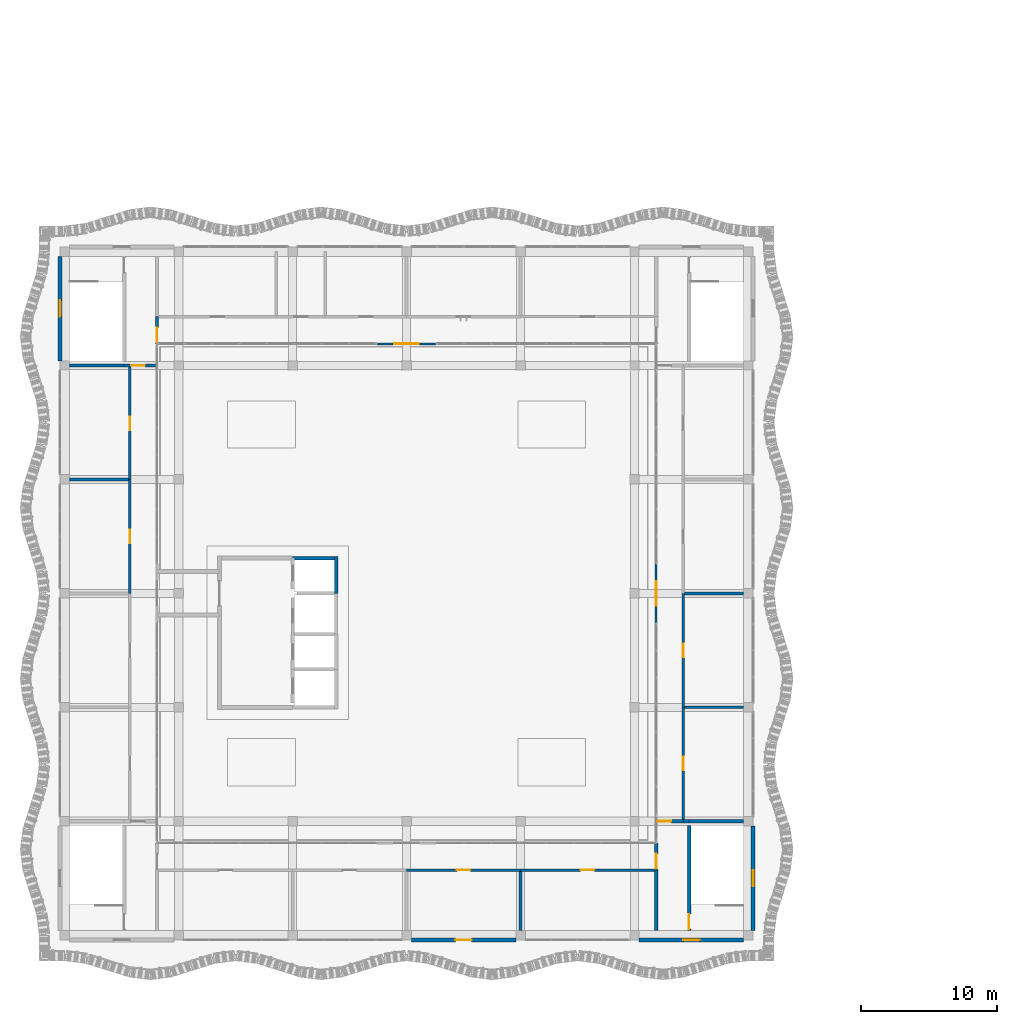
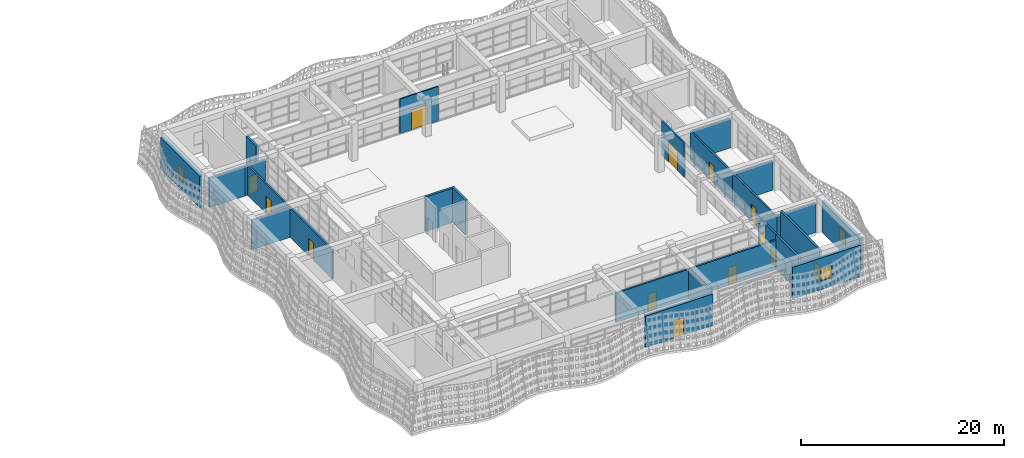
# One storey, part 41 of 85: 28 walls, 14 doors, 3 windows, 17 openings.
"""IFC4 building model written with IfcOpenShell, lengths in metres."""

from ifc_helpers import new_model, si_unit, direction, frame, frame_2d, origin, place, context, subcontext, project, spatial, rectangle, extrude, material, layer, layer_set, type_object, element, fill, save


model = new_model("IFC4")

# Units and contexts
model_context = context("Model", 3, precision=1e-05, world=origin(), true_north=direction((0.0, 1.0)))
body_context = subcontext(model_context, "Body", "Model", "MODEL_VIEW")
ifc_project = project(units=[si_unit("LENGTHUNIT", "METRE"), si_unit("AREAUNIT", "SQUARE_METRE"), si_unit("VOLUMEUNIT", "CUBIC_METRE"), si_unit("PLANEANGLEUNIT", "RADIAN"), si_unit("MASSUNIT", "GRAM", prefix="KILO")], contexts=[model_context])

# Site, building, storey
site_placement = place(None, origin())
site = spatial("IfcSite", under=ifc_project, at=site_placement, CompositionType="ELEMENT")
building_placement = place(site_placement, origin())
building = spatial("IfcBuilding", under=site, at=building_placement, Name="Rain Tree Exposition and Congress Centre", CompositionType="ELEMENT")
storey_placement = place(building_placement, frame((0.0, 0.0, 15.0)))
storey = spatial("IfcBuildingStorey", under=building, at=storey_placement, Name="L03", CompositionType="ELEMENT", Elevation=15.0)

# Wall, opening, door
ifc_material_1 = material(Name="Plasterboard on steel stud", Category="steel")
ifc_layer_1 = layer(ifc_material_1, 0.199951171875)
ifc_layer_set_1 = layer_set([ifc_layer_1], Name="Plasterboard on steel stud")
wall_type_1 = type_object("IfcWallType", Name="Wing acoustic partition 200", PredefinedType="PARTITIONING", material=ifc_layer_set_1)
wall_1_placement = place(storey_placement, frame((25.199951171875, 4.800048828125, 0.0), z_axis=(0.0, 0.0, 1.0), x_axis=(1.0, 0.0, 0.0)))
wall_1 = element("IfcWall", 1, at=wall_1_placement, inside=storey, type_object=wall_type_1, Name="wing/wall/L03/003", PredefinedType="PARTITIONING", context=body_context, shape_type="SweptSolid", body=[
    extrude(rectangle(XDim=8.400146484375, YDim=0.199951171875, at=frame_2d((4.2001953125, 0.0))), origin(), (0.0, 0.0, 1.0), 3.550048828125),
])
opening_1_placement = place(wall_1_placement, frame((3.699951171875, 0.0, 0.0)))
opening_1 = element("IfcOpeningElement", 2, at=opening_1_placement, cuts=wall_1, Name="Opening DW419", PredefinedType="OPENING", context=body_context, shape_type="SweptSolid", body=[
    extrude(rectangle(XDim=1.0, YDim=2.10009765625, at=frame_2d((0.5, 1.050048828125))), frame((0.0, 0.10009765625, 0.0), z_axis=(0.0, -1.0, 0.0), x_axis=(1.0, 0.0, 0.0)), (0.0, 0.0, 1.0), 0.199951171875),
])
ifc_material_2 = material(Name="Timber door leaf", Category="wood")
door_type_1 = type_object("IfcDoorType", Name="Wing door FD30S 1000x2100", OperationType="NOTDEFINED", PredefinedType="DOOR", material=ifc_material_2)
door_1_placement = place(opening_1_placement, origin())
door_1 = element("IfcDoor", 3, at=door_1_placement, inside=storey, type_object=door_type_1, Name="Door DW419", OperationType="SINGLE_SWING_LEFT", OverallHeight=2.10009765625, OverallWidth=1.0, PredefinedType="DOOR", context=body_context, shape_type="SweptSolid", body=[
    extrude(rectangle(XDim=1.0, YDim=2.10009765625, at=frame_2d((0.5, 1.050048828125))), frame((0.0, 0.02490234375, 0.0), z_axis=(0.0, -1.0, 0.0), x_axis=(1.0, 0.0, 0.0)), (0.0, 0.0, 1.0), 0.050048828125),
])
fill(opening_1, door_1)

# Walls
for number, where, z_axis, x_axis, name in (
    (4, (45.699951171875, 16.800048828125, 0.0), (0.0, 0.0, 1.0), (1.0, 0.0, 0.0), "wing/wall/L03/014"),
    (5, (45.699951171875, 25.199951171875, 0.0), (0.0, 0.0, 1.0), (1.0, 0.0, 0.0), "wing/wall/L03/020"),
):
    element("IfcWall", number, at=place(storey_placement, frame(where, z_axis=z_axis, x_axis=x_axis)), inside=storey, type_object=wall_type_1, Name=name, PredefinedType="PARTITIONING", context=body_context, shape_type="SweptSolid", body=[
        extrude(rectangle(XDim=4.35009765625, YDim=0.199951171875, at=frame_2d((2.175048828125, 0.0))), origin(), (0.0, 0.0, 1.0), 3.550048828125),
    ])
wall_2_placement = place(storey_placement, frame((0.35009765625, 33.60009765625, 0.0), z_axis=(0.0, 0.0, 1.0), x_axis=(1.0, 0.0, 0.0)))
element("IfcWall", 6, at=wall_2_placement, inside=storey, type_object=wall_type_1, Name="wing/wall/L03/024", PredefinedType="PARTITIONING", context=body_context, shape_type="SweptSolid", body=[
    extrude(rectangle(XDim=4.349853515625, YDim=0.199951171875, at=frame_2d((2.1748046875, 0.0))), origin(), (0.0, 0.0, 1.0), 3.550048828125),
])

# Wall, opening, door
wall_3_placement = place(storey_placement, frame((4.800048828125, 25.199951171875, 0.0), z_axis=(0.0, 0.0, 1.0), x_axis=(0.0, 1.0, 0.0)))
wall_3 = element("IfcWall", 7, at=wall_3_placement, inside=storey, type_object=wall_type_1, Name="wing/wall/L03/041", PredefinedType="PARTITIONING", context=body_context, shape_type="SweptSolid", body=[
    extrude(rectangle(XDim=8.400146484375, YDim=0.199951171875, at=frame_2d((4.2001953125, 0.0))), origin(), (0.0, 0.0, 1.0), 3.550048828125),
])
opening_2_placement = place(wall_3_placement, frame((3.699951171875, 0.0, 0.0)))
opening_2 = element("IfcOpeningElement", 8, at=opening_2_placement, cuts=wall_3, Name="Opening DW423", PredefinedType="OPENING", context=body_context, shape_type="SweptSolid", body=[
    extrude(rectangle(XDim=1.0, YDim=2.10009765625, at=frame_2d((0.5, 1.050048828125))), frame((0.0, 0.10009765625, 0.0), z_axis=(0.0, -1.0, 0.0), x_axis=(1.0, 0.0, 0.0)), (0.0, 0.0, 1.0), 0.199951171875),
])
door_2_placement = place(opening_2_placement, origin())
door_2 = element("IfcDoor", 9, at=door_2_placement, inside=storey, type_object=door_type_1, Name="Door DW423", OperationType="SINGLE_SWING_LEFT", OverallHeight=2.10009765625, OverallWidth=1.0, PredefinedType="DOOR", context=body_context, shape_type="SweptSolid", body=[
    extrude(rectangle(XDim=1.0, YDim=2.10009765625, at=frame_2d((0.5, 1.050048828125))), frame((0.0, 0.02490234375, 0.0), z_axis=(0.0, -1.0, 0.0), x_axis=(1.0, 0.0, 0.0)), (0.0, 0.0, 1.0), 0.050048828125),
])
fill(opening_2, door_2)

wall_4_placement = place(storey_placement, frame((4.800048828125, 33.60009765625, 0.0), z_axis=(0.0, 0.0, 1.0), x_axis=(0.0, 1.0, 0.0)))
wall_4 = element("IfcWall", 10, at=wall_4_placement, inside=storey, type_object=wall_type_1, Name="wing/wall/L03/042", PredefinedType="PARTITIONING", context=body_context, shape_type="SweptSolid", body=[
    extrude(rectangle(XDim=8.27490234375, YDim=0.199951171875, at=frame_2d((4.137451171875, 0.0))), origin(), (0.0, 0.0, 1.0), 3.550048828125),
])
opening_3_placement = place(wall_4_placement, frame((3.637451171875, 0.0, 0.0)))
opening_3 = element("IfcOpeningElement", 11, at=opening_3_placement, cuts=wall_4, Name="Opening DW424", PredefinedType="OPENING", context=body_context, shape_type="SweptSolid", body=[
    extrude(rectangle(XDim=1.0, YDim=2.10009765625, at=frame_2d((0.5, 1.050048828125))), frame((0.0, 0.10009765625, 0.0), z_axis=(0.0, -1.0, 0.0), x_axis=(1.0, 0.0, 0.0)), (0.0, 0.0, 1.0), 0.199951171875),
])
door_3_placement = place(opening_3_placement, origin())
door_3 = element("IfcDoor", 12, at=door_3_placement, inside=storey, type_object=door_type_1, Name="Door DW424", OperationType="SINGLE_SWING_LEFT", OverallHeight=2.10009765625, OverallWidth=1.0, PredefinedType="DOOR", context=body_context, shape_type="SweptSolid", body=[
    extrude(rectangle(XDim=1.0, YDim=2.10009765625, at=frame_2d((0.5, 1.050048828125))), frame((0.0, 0.02490234375, 0.0), z_axis=(0.0, -1.0, 0.0), x_axis=(1.0, 0.0, 0.0)), (0.0, 0.0, 1.0), 0.050048828125),
])
fill(opening_3, door_3)

wall_5_placement = place(storey_placement, frame((45.60009765625, 8.52490234375, 0.0), z_axis=(0.0, 0.0, 1.0), x_axis=(0.0, 1.0, 0.0)))
wall_5 = element("IfcWall", 13, at=wall_5_placement, inside=storey, type_object=wall_type_1, Name="wing/wall/L03/067", PredefinedType="PARTITIONING", context=body_context, shape_type="SweptSolid", body=[
    extrude(rectangle(XDim=8.275146484375, YDim=0.199951171875, at=frame_2d((4.1376953125, 0.0))), origin(), (0.0, 0.0, 1.0), 3.550048828125),
])
opening_4_placement = place(wall_5_placement, frame((3.637451171875, 0.0, 0.0)))
opening_4 = element("IfcOpeningElement", 14, at=opening_4_placement, cuts=wall_5, Name="Opening DW425", PredefinedType="OPENING", context=body_context, shape_type="SweptSolid", body=[
    extrude(rectangle(XDim=1.0, YDim=2.10009765625, at=frame_2d((0.5, 1.050048828125))), frame((0.0, 0.10009765625, 0.0), z_axis=(0.0, -1.0, 0.0), x_axis=(1.0, 0.0, 0.0)), (0.0, 0.0, 1.0), 0.199951171875),
])
door_4_placement = place(opening_4_placement, origin())
door_4 = element("IfcDoor", 15, at=door_4_placement, inside=storey, type_object=door_type_1, Name="Door DW425", OperationType="SINGLE_SWING_LEFT", OverallHeight=2.10009765625, OverallWidth=1.0, PredefinedType="DOOR", context=body_context, shape_type="SweptSolid", body=[
    extrude(rectangle(XDim=1.0, YDim=2.10009765625, at=frame_2d((0.5, 1.050048828125))), frame((0.0, 0.02490234375, 0.0), z_axis=(0.0, -1.0, 0.0), x_axis=(1.0, 0.0, 0.0)), (0.0, 0.0, 1.0), 0.050048828125),
])
fill(opening_4, door_4)

wall_6_placement = place(storey_placement, frame((45.60009765625, 16.800048828125, 0.0), z_axis=(0.0, 0.0, 1.0), x_axis=(0.0, 1.0, 0.0)))
wall_6 = element("IfcWall", 16, at=wall_6_placement, inside=storey, type_object=wall_type_1, Name="wing/wall/L03/068", PredefinedType="PARTITIONING", context=body_context, shape_type="SweptSolid", body=[
    extrude(rectangle(XDim=8.39990234375, YDim=0.199951171875, at=frame_2d((4.199951171875, 0.0))), origin(), (0.0, 0.0, 1.0), 3.550048828125),
])
opening_5_placement = place(wall_6_placement, frame((3.699951171875, 0.0, 0.0)))
opening_5 = element("IfcOpeningElement", 17, at=opening_5_placement, cuts=wall_6, Name="Opening DW426", PredefinedType="OPENING", context=body_context, shape_type="SweptSolid", body=[
    extrude(rectangle(XDim=1.0, YDim=2.10009765625, at=frame_2d((0.5, 1.050048828125))), frame((0.0, 0.10009765625, 0.0), z_axis=(0.0, -1.0, 0.0), x_axis=(1.0, 0.0, 0.0)), (0.0, 0.0, 1.0), 0.199951171875),
])
door_5_placement = place(opening_5_placement, origin())
door_5 = element("IfcDoor", 18, at=door_5_placement, inside=storey, type_object=door_type_1, Name="Door DW426", OperationType="SINGLE_SWING_LEFT", OverallHeight=2.10009765625, OverallWidth=1.0, PredefinedType="DOOR", context=body_context, shape_type="SweptSolid", body=[
    extrude(rectangle(XDim=1.0, YDim=2.10009765625, at=frame_2d((0.5, 1.050048828125))), frame((0.0, 0.02490234375, 0.0), z_axis=(0.0, -1.0, 0.0), x_axis=(1.0, 0.0, 0.0)), (0.0, 0.0, 1.0), 0.050048828125),
])
fill(opening_5, door_5)

ifc_material_3 = material(Name="Glazed aluminium infill", Category="aluminium")
ifc_layer_2 = layer(ifc_material_3, 0.14990234375)
ifc_layer_set_2 = layer_set([ifc_layer_2], Name="Glazed aluminium infill")
wall_type_2 = type_object("IfcWallType", Name="Wing court door bay wall 150", PredefinedType="SOLIDWALL", material=ifc_layer_set_2)
wall_7_placement = place(storey_placement, frame((23.0, 43.60009765625, 0.0), z_axis=(0.0, 0.0, 1.0), x_axis=(1.0, 0.0, 0.0)))
wall_7 = element("IfcWall", 19, at=wall_7_placement, inside=storey, type_object=wall_type_2, Name="wing/court/wall/N", PredefinedType="SOLIDWALL", context=body_context, shape_type="SweptSolid", body=[
    extrude(rectangle(XDim=4.39990234375, YDim=0.14990234375, at=frame_2d((2.199951171875, 0.0))), origin(), (0.0, 0.0, 1.0), 4.14990234375),
])
opening_6_placement = place(wall_7_placement, frame((1.300048828125, 0.0, 0.0)))
opening_6 = element("IfcOpeningElement", 20, at=opening_6_placement, cuts=wall_7, Name="Opening DW472", PredefinedType="OPENING", context=body_context, shape_type="SweptSolid", body=[
    extrude(rectangle(XDim=1.800048828125, YDim=2.39990234375, at=frame_2d((0.89990234375, 1.199951171875))), frame((0.0, 0.074951171875, 0.0), z_axis=(0.0, -1.0, 0.0), x_axis=(1.0, 0.0, 0.0)), (0.0, 0.0, 1.0), 0.14990234375),
])
ifc_material_4 = material(Name="Glazed aluminium door", Category="aluminium")
door_type_2 = type_object("IfcDoorType", Name="Wing entrance door 1800x2400", OperationType="DOUBLE_DOOR_DOUBLE_SWING", PredefinedType="DOOR", material=ifc_material_4)
door_6_placement = place(opening_6_placement, origin())
door_6 = element("IfcDoor", 21, at=door_6_placement, inside=storey, type_object=door_type_2, Name="Door DW472", OperationType="DOUBLE_DOOR_DOUBLE_SWING", OverallHeight=2.39990234375, OverallWidth=1.800048828125, PredefinedType="DOOR", context=body_context, shape_type="SweptSolid", body=[
    extrude(rectangle(XDim=1.800048828125, YDim=2.39990234375, at=frame_2d((0.89990234375, 1.199951171875))), frame((0.0, 0.02490234375, 0.0), z_axis=(0.0, -1.0, 0.0), x_axis=(1.0, 0.0, 0.0)), (0.0, 0.0, 1.0), 0.050048828125),
])
fill(opening_6, door_6)

wall_8_placement = place(storey_placement, frame((43.60009765625, 23.0, 0.0), z_axis=(0.0, 0.0, 1.0), x_axis=(0.0, 1.0, 0.0)))
wall_8 = element("IfcWall", 22, at=wall_8_placement, inside=storey, type_object=wall_type_2, Name="wing/court/wall/E", PredefinedType="SOLIDWALL", context=body_context, shape_type="SweptSolid", body=[
    extrude(rectangle(XDim=4.39990234375, YDim=0.14990234375, at=frame_2d((2.199951171875, 0.0))), origin(), (0.0, 0.0, 1.0), 4.14990234375),
])
opening_7_placement = place(wall_8_placement, frame((1.300048828125, 0.0, 0.0)))
opening_7 = element("IfcOpeningElement", 23, at=opening_7_placement, cuts=wall_8, Name="Opening DW474", PredefinedType="OPENING", context=body_context, shape_type="SweptSolid", body=[
    extrude(rectangle(XDim=1.800048828125, YDim=2.39990234375, at=frame_2d((0.89990234375, 1.199951171875))), frame((0.0, 0.074951171875, 0.0), z_axis=(0.0, -1.0, 0.0), x_axis=(1.0, 0.0, 0.0)), (0.0, 0.0, 1.0), 0.14990234375),
])
door_7_placement = place(opening_7_placement, origin())
door_7 = element("IfcDoor", 24, at=door_7_placement, inside=storey, type_object=door_type_2, Name="Door DW474", OperationType="DOUBLE_DOOR_DOUBLE_SWING", OverallHeight=2.39990234375, OverallWidth=1.800048828125, PredefinedType="DOOR", context=body_context, shape_type="SweptSolid", body=[
    extrude(rectangle(XDim=1.800048828125, YDim=2.39990234375, at=frame_2d((0.89990234375, 1.199951171875))), frame((0.0, 0.02490234375, 0.0), z_axis=(0.0, -1.0, 0.0), x_axis=(1.0, 0.0, 0.0)), (0.0, 0.0, 1.0), 0.050048828125),
])
fill(opening_7, door_7)

ifc_material_5 = material(Name="Insulated cavity wall")
ifc_layer_3 = layer(ifc_material_5, 0.300048828125)
ifc_layer_set_3 = layer_set([ifc_layer_3], Name="Insulated cavity wall")
wall_type_3 = type_object("IfcWallType", Name="Wing external wall 300", PredefinedType="SOLIDWALL", material=ifc_layer_set_3)
wall_9_placement = place(storey_placement, frame((25.550048828125, -0.35009765625, 0.0), z_axis=(0.0, 0.0, 1.0), x_axis=(1.0, 0.0, 0.0)))
wall_9 = element("IfcWall", 25, at=wall_9_placement, inside=storey, type_object=wall_type_3, Name="wing/facade/L03/S3", PredefinedType="SOLIDWALL", context=body_context, shape_type="SweptSolid", body=[
    extrude(rectangle(XDim=7.699951171875, YDim=0.300048828125, at=frame_2d((3.85009765625, 0.0))), origin(), (0.0, 0.0, 1.0), 3.800048828125),
])
opening_8_placement = place(wall_9_placement, frame((3.25, 0.0, 0.0)))
opening_8 = element("IfcOpeningElement", 26, at=opening_8_placement, cuts=wall_9, Name="Opening DW451", PredefinedType="OPENING", context=body_context, shape_type="SweptSolid", body=[
    extrude(rectangle(XDim=1.199951171875, YDim=2.10009765625, at=frame_2d((0.60009765625, 1.050048828125))), frame((0.0, 0.14990234375, 0.0), z_axis=(0.0, -1.0, 0.0), x_axis=(1.0, 0.0, 0.0)), (0.0, 0.0, 1.0), 0.300048828125),
])
ifc_material_6 = material(Name="Steel door leaf", Category="steel")
door_type_3 = type_object("IfcDoorType", Name="Wing exit door 1200x2100", OperationType="NOTDEFINED", PredefinedType="DOOR", material=ifc_material_6)
door_8_placement = place(opening_8_placement, origin())
door_8 = element("IfcDoor", 27, at=door_8_placement, inside=storey, type_object=door_type_3, Name="Door DW451", OperationType="SINGLE_SWING_RIGHT", OverallHeight=2.10009765625, OverallWidth=1.199951171875, PredefinedType="DOOR", context=body_context, shape_type="SweptSolid", body=[
    extrude(rectangle(XDim=1.199951171875, YDim=2.10009765625, at=frame_2d((0.60009765625, 1.050048828125))), frame((0.0, 0.02490234375, 0.0), z_axis=(0.0, -1.0, 0.0), x_axis=(1.0, 0.0, 0.0)), (0.0, 0.0, 1.0), 0.050048828125),
])
fill(opening_8, door_8)

# Wall, opening, window
wall_10_placement = place(storey_placement, frame((42.35009765625, -0.35009765625, 0.0), z_axis=(0.0, 0.0, 1.0), x_axis=(1.0, 0.0, 0.0)))
wall_10 = element("IfcWall", 28, at=wall_10_placement, inside=storey, type_object=wall_type_3, Name="wing/facade/L03/S5", PredefinedType="SOLIDWALL", context=body_context, shape_type="SweptSolid", body=[
    extrude(rectangle(XDim=7.699951171875, YDim=0.300048828125, at=frame_2d((3.85009765625, 0.0))), origin(), (0.0, 0.0, 1.0), 3.800048828125),
])
opening_9_placement = place(wall_10_placement, frame((3.25, 0.0, 1.0)))
opening_9 = element("IfcOpeningElement", 29, at=opening_9_placement, cuts=wall_10, Name="Opening WW402", PredefinedType="OPENING", context=body_context, shape_type="SweptSolid", body=[
    extrude(rectangle(XDim=1.199951171875, YDim=1.5, at=frame_2d((0.60009765625, 0.75))), frame((0.0, 0.14990234375, 0.0), z_axis=(0.0, -1.0, 0.0), x_axis=(1.0, 0.0, 0.0)), (0.0, 0.0, 1.0), 0.300048828125),
])
ifc_material_7 = material(Name="Aluminium framed glazing", Category="aluminium")
window_type = type_object("IfcWindowType", Name="Wing window 1200x1500", PartitioningType="SINGLE_PANEL", PredefinedType="WINDOW", material=ifc_material_7)
window_1_placement = place(opening_9_placement, origin())
window_1 = element("IfcWindow", 30, at=window_1_placement, inside=storey, type_object=window_type, Name="wing/window/L03/02", OverallHeight=1.5, OverallWidth=1.199951171875, PartitioningType="SINGLE_PANEL", PredefinedType="WINDOW", context=body_context, shape_type="SweptSolid", body=[
    extrude(rectangle(XDim=1.199951171875, YDim=1.5, at=frame_2d((0.60009765625, 0.75))), frame((0.0, 0.030029296875, 0.0), z_axis=(0.0, -1.0, 0.0), x_axis=(1.0, 0.0, 0.0)), (0.0, 0.0, 1.0), 0.06005859375),
])
fill(opening_9, window_1)

wall_11_placement = place(storey_placement, frame((-0.35009765625, 42.35009765625, 0.0), z_axis=(0.0, 0.0, 1.0), x_axis=(0.0, 1.0, 0.0)))
wall_11 = element("IfcWall", 31, at=wall_11_placement, inside=storey, type_object=wall_type_3, Name="wing/facade/L03/W5", PredefinedType="SOLIDWALL", context=body_context, shape_type="SweptSolid", body=[
    extrude(rectangle(XDim=7.699951171875, YDim=0.300048828125, at=frame_2d((3.85009765625, 0.0))), origin(), (0.0, 0.0, 1.0), 3.800048828125),
])
opening_10_placement = place(wall_11_placement, frame((3.25, 0.0, 1.0)))
opening_10 = element("IfcOpeningElement", 32, at=opening_10_placement, cuts=wall_11, Name="Opening WW406", PredefinedType="OPENING", context=body_context, shape_type="SweptSolid", body=[
    extrude(rectangle(XDim=1.199951171875, YDim=1.5, at=frame_2d((0.60009765625, 0.75))), frame((0.0, 0.14990234375, 0.0), z_axis=(0.0, -1.0, 0.0), x_axis=(1.0, 0.0, 0.0)), (0.0, 0.0, 1.0), 0.300048828125),
])
window_2_placement = place(opening_10_placement, origin())
window_2 = element("IfcWindow", 33, at=window_2_placement, inside=storey, type_object=window_type, Name="wing/window/L03/06", OverallHeight=1.5, OverallWidth=1.199951171875, PartitioningType="SINGLE_PANEL", PredefinedType="WINDOW", context=body_context, shape_type="SweptSolid", body=[
    extrude(rectangle(XDim=1.199951171875, YDim=1.5, at=frame_2d((0.60009765625, 0.75))), frame((0.0, 0.030029296875, 0.0), z_axis=(0.0, -1.0, 0.0), x_axis=(1.0, 0.0, 0.0)), (0.0, 0.0, 1.0), 0.06005859375),
])
fill(opening_10, window_2)

wall_12_placement = place(storey_placement, frame((50.75, 0.35009765625, 0.0), z_axis=(0.0, 0.0, 1.0), x_axis=(0.0, 1.0, 0.0)))
wall_12 = element("IfcWall", 34, at=wall_12_placement, inside=storey, type_object=wall_type_3, Name="wing/facade/L03/E0", PredefinedType="SOLIDWALL", context=body_context, shape_type="SweptSolid", body=[
    extrude(rectangle(XDim=7.699951171875, YDim=0.300048828125, at=frame_2d((3.85009765625, 0.0))), origin(), (0.0, 0.0, 1.0), 3.800048828125),
])
opening_11_placement = place(wall_12_placement, frame((3.25, 0.0, 1.0)))
opening_11 = element("IfcOpeningElement", 35, at=opening_11_placement, cuts=wall_12, Name="Opening WW407", PredefinedType="OPENING", context=body_context, shape_type="SweptSolid", body=[
    extrude(rectangle(XDim=1.199951171875, YDim=1.5, at=frame_2d((0.60009765625, 0.75))), frame((0.0, 0.14990234375, 0.0), z_axis=(0.0, -1.0, 0.0), x_axis=(1.0, 0.0, 0.0)), (0.0, 0.0, 1.0), 0.300048828125),
])
window_3_placement = place(opening_11_placement, origin())
window_3 = element("IfcWindow", 36, at=window_3_placement, inside=storey, type_object=window_type, Name="wing/window/L03/07", OverallHeight=1.5, OverallWidth=1.199951171875, PartitioningType="SINGLE_PANEL", PredefinedType="WINDOW", context=body_context, shape_type="SweptSolid", body=[
    extrude(rectangle(XDim=1.199951171875, YDim=1.5, at=frame_2d((0.60009765625, 0.75))), frame((0.0, 0.030029296875, 0.0), z_axis=(0.0, -1.0, 0.0), x_axis=(1.0, 0.0, 0.0)), (0.0, 0.0, 1.0), 0.06005859375),
])
fill(opening_11, window_3)

# Wall, opening, door
ifc_material_8 = material(Name="Dense blockwork", Category="masonry")
ifc_layer_4 = layer(ifc_material_8, 0.199951171875)
ifc_layer_set_4 = layer_set([ifc_layer_4], Name="Dense blockwork")
wall_type_4 = type_object("IfcWallType", Name="Wing kitchen wall 200", PredefinedType="SOLIDWALL", material=ifc_layer_set_4)
wall_13_placement = place(storey_placement, frame((33.60009765625, 4.800048828125, 0.0), z_axis=(0.0, 0.0, 1.0), x_axis=(1.0, 0.0, 0.0)))
wall_13 = element("IfcWall", 37, at=wall_13_placement, inside=storey, type_object=wall_type_4, Name="wing/wall/L03/004", PredefinedType="SOLIDWALL", context=body_context, shape_type="SweptSolid", body=[
    extrude(rectangle(XDim=9.875, YDim=0.199951171875, at=frame_2d((4.9375, 0.0))), origin(), (0.0, 0.0, 1.0), 3.550048828125),
])
opening_12_placement = place(wall_13_placement, frame((4.4375, 0.0, 0.0)))
opening_12 = element("IfcOpeningElement", 38, at=opening_12_placement, cuts=wall_13, Name="Opening DW420", PredefinedType="OPENING", context=body_context, shape_type="SweptSolid", body=[
    extrude(rectangle(XDim=1.0, YDim=2.10009765625, at=frame_2d((0.5, 1.050048828125))), frame((0.0, 0.10009765625, 0.0), z_axis=(0.0, -1.0, 0.0), x_axis=(1.0, 0.0, 0.0)), (0.0, 0.0, 1.0), 0.199951171875),
])
ifc_material_9 = material(Name="Timber door leaf", Category="wood")
door_type_4 = type_object("IfcDoorType", Name="Wing door FD60 1000x2100", OperationType="NOTDEFINED", PredefinedType="DOOR", material=ifc_material_9)
door_9_placement = place(opening_12_placement, origin())
door_9 = element("IfcDoor", 39, at=door_9_placement, inside=storey, type_object=door_type_4, Name="Door DW420", OperationType="SINGLE_SWING_LEFT", OverallHeight=2.10009765625, OverallWidth=1.0, PredefinedType="DOOR", context=body_context, shape_type="SweptSolid", body=[
    extrude(rectangle(XDim=1.0, YDim=2.10009765625, at=frame_2d((0.5, 1.050048828125))), frame((0.0, 0.02490234375, 0.0), z_axis=(0.0, -1.0, 0.0), x_axis=(1.0, 0.0, 0.0)), (0.0, 0.0, 1.0), 0.050048828125),
])
fill(opening_12, door_9)

# Walls
wall_14_placement = place(storey_placement, frame((33.60009765625, 0.35009765625, 0.0), z_axis=(0.0, 0.0, 1.0), x_axis=(0.0, 1.0, 0.0)))
element("IfcWall", 40, at=wall_14_placement, inside=storey, type_object=wall_type_4, Name="wing/wall/L03/061", PredefinedType="SOLIDWALL", context=body_context, shape_type="SweptSolid", body=[
    extrude(rectangle(XDim=4.349853515625, YDim=0.199951171875, at=frame_2d((2.1748046875, 0.0))), origin(), (0.0, 0.0, 1.0), 3.550048828125),
])
ifc_material_10 = material(Name="Concrete C40/50", Category="concrete")
ifc_layer_5 = layer(ifc_material_10, 0.25)
ifc_layer_set_5 = layer_set([ifc_layer_5], Name="Concrete C40/50")
wall_type_5 = type_object("IfcWallType", Name="Wing lift shaft wall 250", PredefinedType="SHEAR", material=ifc_layer_set_5)
wall_15_placement = place(storey_placement, frame((16.800048828125, 27.800048828125, 0.0), z_axis=(0.0, 0.0, 1.0), x_axis=(1.0, 0.0, 0.0)))
element("IfcWall", 41, at=wall_15_placement, inside=storey, type_object=wall_type_5, Name="wing/wall/L03/023", PredefinedType="SHEAR", context=body_context, shape_type="SweptSolid", body=[
    extrude(rectangle(XDim=3.074951171875, YDim=0.25, at=frame_2d((1.53759765625, 0.0))), origin(), (0.0, 0.0, 1.0), 4.14990234375),
])
wall_16_placement = place(storey_placement, frame((20.0, 25.199951171875, 0.0), z_axis=(0.0, 0.0, 1.0), x_axis=(0.0, 1.0, 0.0)))
element("IfcWall", 42, at=wall_16_placement, inside=storey, type_object=wall_type_5, Name="wing/wall/L03/058", PredefinedType="SHEAR", context=body_context, shape_type="SweptSolid", body=[
    extrude(rectangle(XDim=2.72509765625, YDim=0.25, at=frame_2d((1.362548828125, 0.0))), origin(), (0.0, 0.0, 1.0), 4.14990234375),
])

# Wall, opening, door
ifc_material_11 = material(Name="Concrete C40/50", Category="concrete")
ifc_layer_6 = layer(ifc_material_11, 0.25)
ifc_layer_set_6 = layer_set([ifc_layer_6], Name="Concrete C40/50")
wall_type_6 = type_object("IfcWallType", Name="Wing stair wall 250", PredefinedType="SHEAR", material=ifc_layer_set_6)
wall_17_placement = place(storey_placement, frame((43.60009765625, 8.39990234375, 0.0), z_axis=(0.0, 0.0, 1.0), x_axis=(1.0, 0.0, 0.0)))
wall_17 = element("IfcWall", 43, at=wall_17_placement, inside=storey, type_object=wall_type_6, Name="wing/wall/L03/008", PredefinedType="SHEAR", context=body_context, shape_type="SweptSolid", body=[
    extrude(rectangle(XDim=2.0, YDim=0.25, at=frame_2d((1.0, 0.0))), origin(), (0.0, 0.0, 1.0), 3.550048828125),
])
opening_13_placement = place(wall_17_placement, frame((0.10009765625, 0.0, 0.0)))
opening_13 = element("IfcOpeningElement", 44, at=opening_13_placement, cuts=wall_17, Name="Opening DW411", PredefinedType="OPENING", context=body_context, shape_type="SweptSolid", body=[
    extrude(rectangle(XDim=1.0, YDim=2.10009765625, at=frame_2d((0.5, 1.050048828125))), frame((0.0, 0.125, 0.0), z_axis=(0.0, -1.0, 0.0), x_axis=(1.0, 0.0, 0.0)), (0.0, 0.0, 1.0), 0.25),
])
door_10_placement = place(opening_13_placement, origin())
door_10 = element("IfcDoor", 45, at=door_10_placement, inside=storey, type_object=door_type_4, Name="Door DW411", OperationType="SINGLE_SWING_LEFT", OverallHeight=2.10009765625, OverallWidth=1.0, PredefinedType="DOOR", context=body_context, shape_type="SweptSolid", body=[
    extrude(rectangle(XDim=1.0, YDim=2.10009765625, at=frame_2d((0.5, 1.050048828125))), frame((0.0, 0.02490234375, 0.0), z_axis=(0.0, -1.0, 0.0), x_axis=(1.0, 0.0, 0.0)), (0.0, 0.0, 1.0), 0.050048828125),
])
fill(opening_13, door_10)

# Walls
wall_18_placement = place(storey_placement, frame((45.60009765625, 8.39990234375, 0.0), z_axis=(0.0, 0.0, 1.0), x_axis=(1.0, 0.0, 0.0)))
element("IfcWall", 46, at=wall_18_placement, inside=storey, type_object=wall_type_6, Name="wing/wall/L03/009", PredefinedType="SHEAR", context=body_context, shape_type="SweptSolid", body=[
    extrude(rectangle(XDim=0.4248046875, YDim=0.25, at=frame_2d((0.21240234375, 0.0))), origin(), (0.0, 0.0, 1.0), 3.550048828125),
])
wall_19_placement = place(storey_placement, frame((46.02490234375, 8.39990234375, 0.0), z_axis=(0.0, 0.0, 1.0), x_axis=(1.0, 0.0, 0.0)))
element("IfcWall", 47, at=wall_19_placement, inside=storey, type_object=wall_type_6, Name="wing/wall/L03/010", PredefinedType="SHEAR", context=body_context, shape_type="SweptSolid", body=[
    extrude(rectangle(XDim=4.025146484375, YDim=0.25, at=frame_2d((2.0126953125, 0.0))), origin(), (0.0, 0.0, 1.0), 3.550048828125),
])
wall_20_placement = place(storey_placement, frame((0.35009765625, 42.0, 0.0), z_axis=(0.0, 0.0, 1.0), x_axis=(1.0, 0.0, 0.0)))
element("IfcWall", 48, at=wall_20_placement, inside=storey, type_object=wall_type_6, Name="wing/wall/L03/026", PredefinedType="SHEAR", context=body_context, shape_type="SweptSolid", body=[
    extrude(rectangle(XDim=4.02490234375, YDim=0.25, at=frame_2d((2.012451171875, 0.0))), origin(), (0.0, 0.0, 1.0), 3.550048828125),
])
wall_21_placement = place(storey_placement, frame((4.375, 42.0, 0.0), z_axis=(0.0, 0.0, 1.0), x_axis=(1.0, 0.0, 0.0)))
element("IfcWall", 49, at=wall_21_placement, inside=storey, type_object=wall_type_6, Name="wing/wall/L03/027", PredefinedType="SHEAR", context=body_context, shape_type="SweptSolid", body=[
    extrude(rectangle(XDim=0.425048828125, YDim=0.25, at=frame_2d((0.21240234375, 0.0))), origin(), (0.0, 0.0, 1.0), 3.550048828125),
])

# Wall, opening, door
wall_22_placement = place(storey_placement, frame((4.800048828125, 42.0, 0.0), z_axis=(0.0, 0.0, 1.0), x_axis=(1.0, 0.0, 0.0)))
wall_22 = element("IfcWall", 50, at=wall_22_placement, inside=storey, type_object=wall_type_6, Name="wing/wall/L03/028", PredefinedType="SHEAR", context=body_context, shape_type="SweptSolid", body=[
    extrude(rectangle(XDim=2.0, YDim=0.25, at=frame_2d((1.0, 0.0))), origin(), (0.0, 0.0, 1.0), 3.550048828125),
])
opening_14_placement = place(wall_22_placement, frame((0.10009765625, 0.0, 0.0)))
opening_14 = element("IfcOpeningElement", 51, at=opening_14_placement, cuts=wall_22, Name="Opening DW410", PredefinedType="OPENING", context=body_context, shape_type="SweptSolid", body=[
    extrude(rectangle(XDim=1.0, YDim=2.10009765625, at=frame_2d((0.5, 1.050048828125))), frame((0.0, 0.125, 0.0), z_axis=(0.0, -1.0, 0.0), x_axis=(1.0, 0.0, 0.0)), (0.0, 0.0, 1.0), 0.25),
])
door_11_placement = place(opening_14_placement, origin())
door_11 = element("IfcDoor", 52, at=door_11_placement, inside=storey, type_object=door_type_4, Name="Door DW410", OperationType="SINGLE_SWING_LEFT", OverallHeight=2.10009765625, OverallWidth=1.0, PredefinedType="DOOR", context=body_context, shape_type="SweptSolid", body=[
    extrude(rectangle(XDim=1.0, YDim=2.10009765625, at=frame_2d((0.5, 1.050048828125))), frame((0.0, 0.02490234375, 0.0), z_axis=(0.0, -1.0, 0.0), x_axis=(1.0, 0.0, 0.0)), (0.0, 0.0, 1.0), 0.050048828125),
])
fill(opening_14, door_11)

wall_23_placement = place(storey_placement, frame((6.800048828125, 43.60009765625, 0.0), z_axis=(0.0, 0.0, 1.0), x_axis=(0.0, 1.0, 0.0)))
wall_23 = element("IfcWall", 53, at=wall_23_placement, inside=storey, type_object=wall_type_6, Name="wing/wall/L03/045", PredefinedType="SHEAR", context=body_context, shape_type="SweptSolid", body=[
    extrude(rectangle(XDim=2.0, YDim=0.25, at=frame_2d((1.0, 0.0))), origin(), (0.0, 0.0, 1.0), 4.14990234375),
])
opening_15_placement = place(wall_23_placement, frame((0.10009765625, 0.0, 0.0)))
opening_15 = element("IfcOpeningElement", 54, at=opening_15_placement, cuts=wall_23, Name="Opening DW406", PredefinedType="OPENING", context=body_context, shape_type="SweptSolid", body=[
    extrude(rectangle(XDim=1.10009765625, YDim=2.10009765625, at=frame_2d((0.550048828125, 1.050048828125))), frame((0.0, 0.125, 0.0), z_axis=(0.0, -1.0, 0.0), x_axis=(1.0, 0.0, 0.0)), (0.0, 0.0, 1.0), 0.25),
])
ifc_material_12 = material(Name="Timber door leaf", Category="wood")
door_type_5 = type_object("IfcDoorType", Name="Wing door FD60 1100x2100", OperationType="NOTDEFINED", PredefinedType="DOOR", material=ifc_material_12)
door_12_placement = place(opening_15_placement, origin())
door_12 = element("IfcDoor", 55, at=door_12_placement, inside=storey, type_object=door_type_5, Name="Door DW406", OperationType="SINGLE_SWING_LEFT", OverallHeight=2.10009765625, OverallWidth=1.10009765625, PredefinedType="DOOR", context=body_context, shape_type="SweptSolid", body=[
    extrude(rectangle(XDim=1.10009765625, YDim=2.10009765625, at=frame_2d((0.550048828125, 1.050048828125))), frame((0.0, 0.02490234375, 0.0), z_axis=(0.0, -1.0, 0.0), x_axis=(1.0, 0.0, 0.0)), (0.0, 0.0, 1.0), 0.050048828125),
])
fill(opening_15, door_12)

# Wall
wall_24_placement = place(storey_placement, frame((43.60009765625, 0.35009765625, 0.0), z_axis=(0.0, 0.0, 1.0), x_axis=(0.0, 1.0, 0.0)))
element("IfcWall", 56, at=wall_24_placement, inside=storey, type_object=wall_type_6, Name="wing/wall/L03/063", PredefinedType="SHEAR", context=body_context, shape_type="SweptSolid", body=[
    extrude(rectangle(XDim=4.449951171875, YDim=0.25, at=frame_2d((2.22509765625, 0.0))), origin(), (0.0, 0.0, 1.0), 4.14990234375),
])

# Wall, opening, door
wall_25_placement = place(storey_placement, frame((43.60009765625, 4.800048828125, 0.0), z_axis=(0.0, 0.0, 1.0), x_axis=(0.0, 1.0, 0.0)))
wall_25 = element("IfcWall", 57, at=wall_25_placement, inside=storey, type_object=wall_type_6, Name="wing/wall/L03/064", PredefinedType="SHEAR", context=body_context, shape_type="SweptSolid", body=[
    extrude(rectangle(XDim=2.0, YDim=0.25, at=frame_2d((1.0, 0.0))), origin(), (0.0, 0.0, 1.0), 4.14990234375),
])
opening_16_placement = place(wall_25_placement, frame((0.10009765625, 0.0, 0.0)))
opening_16 = element("IfcOpeningElement", 58, at=opening_16_placement, cuts=wall_25, Name="Opening DW403", PredefinedType="OPENING", context=body_context, shape_type="SweptSolid", body=[
    extrude(rectangle(XDim=1.10009765625, YDim=2.10009765625, at=frame_2d((0.550048828125, 1.050048828125))), frame((0.0, 0.125, 0.0), z_axis=(0.0, -1.0, 0.0), x_axis=(1.0, 0.0, 0.0)), (0.0, 0.0, 1.0), 0.25),
])
door_13_placement = place(opening_16_placement, origin())
door_13 = element("IfcDoor", 59, at=door_13_placement, inside=storey, type_object=door_type_5, Name="Door DW403", OperationType="SINGLE_SWING_LEFT", OverallHeight=2.10009765625, OverallWidth=1.10009765625, PredefinedType="DOOR", context=body_context, shape_type="SweptSolid", body=[
    extrude(rectangle(XDim=1.10009765625, YDim=2.10009765625, at=frame_2d((0.550048828125, 1.050048828125))), frame((0.0, 0.02490234375, 0.0), z_axis=(0.0, -1.0, 0.0), x_axis=(1.0, 0.0, 0.0)), (0.0, 0.0, 1.0), 0.050048828125),
])
fill(opening_16, door_13)

wall_26_placement = place(storey_placement, frame((46.02490234375, 0.35009765625, 0.0), z_axis=(0.0, 0.0, 1.0), x_axis=(0.0, 1.0, 0.0)))
wall_26 = element("IfcWall", 60, at=wall_26_placement, inside=storey, type_object=wall_type_6, Name="wing/wall/L03/071", PredefinedType="SHEAR", context=body_context, shape_type="SweptSolid", body=[
    extrude(rectangle(XDim=7.75, YDim=0.25, at=frame_2d((3.875, 0.0))), origin(), (0.0, 0.0, 1.0), 4.14990234375),
])
opening_17_placement = place(wall_26_placement, frame((0.10009765625, 0.0, 0.0)))
opening_17 = element("IfcOpeningElement", 61, at=opening_17_placement, cuts=wall_26, Name="Opening DW404", PredefinedType="OPENING", context=body_context, shape_type="SweptSolid", body=[
    extrude(rectangle(XDim=1.10009765625, YDim=2.10009765625, at=frame_2d((0.550048828125, 1.050048828125))), frame((0.0, 0.125, 0.0), z_axis=(0.0, -1.0, 0.0), x_axis=(1.0, 0.0, 0.0)), (0.0, 0.0, 1.0), 0.25),
])
door_14_placement = place(opening_17_placement, origin())
door_14 = element("IfcDoor", 62, at=door_14_placement, inside=storey, type_object=door_type_5, Name="Door DW404", OperationType="SINGLE_SWING_LEFT", OverallHeight=2.10009765625, OverallWidth=1.10009765625, PredefinedType="DOOR", context=body_context, shape_type="SweptSolid", body=[
    extrude(rectangle(XDim=1.10009765625, YDim=2.10009765625, at=frame_2d((0.550048828125, 1.050048828125))), frame((0.0, 0.02490234375, 0.0), z_axis=(0.0, -1.0, 0.0), x_axis=(1.0, 0.0, 0.0)), (0.0, 0.0, 1.0), 0.050048828125),
])
fill(opening_17, door_14)

save(model, "model.ifc")
